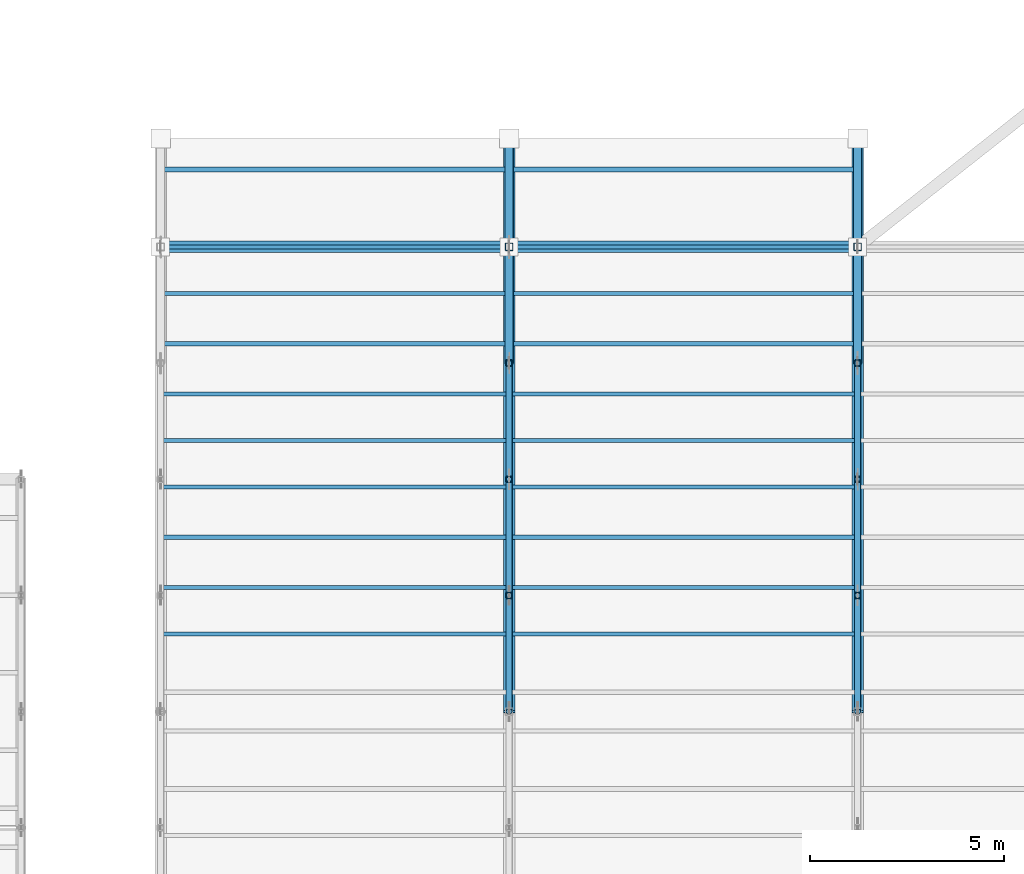
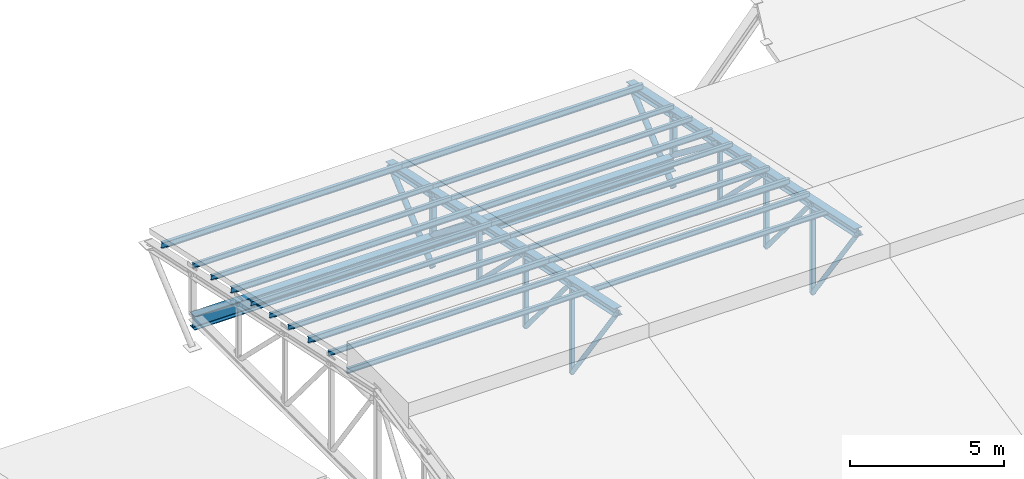
# One storey, part 18 of 43: 40 members, 2 beams.
"""IFC4 building model written with IfcOpenShell, lengths in metres."""

from ifc_helpers import new_model, si_unit, direction, frame, origin, origin_2d, place, context, subcontext, project, spatial, hollow_rectangle, hollow_circle, i_section, extrude, material, material_profile, profile_set, type_object, element, save


model = new_model("IFC4")

# Units and contexts
model_context = context("Model", 3, precision=1e-05, world=origin(), true_north=direction((0.0, 1.0)))
body_context = subcontext(model_context, "Body", "Model", "MODEL_VIEW")
ifc_project = project(units=[si_unit("LENGTHUNIT", "METRE"), si_unit("AREAUNIT", "SQUARE_METRE"), si_unit("VOLUMEUNIT", "CUBIC_METRE"), si_unit("PLANEANGLEUNIT", "RADIAN"), si_unit("MASSUNIT", "GRAM", prefix="KILO")], contexts=[model_context])

# Site, building, storey
site_placement = place(None, origin())
site = spatial("IfcSite", under=ifc_project, at=site_placement, CompositionType="ELEMENT")
building_placement = place(site_placement, origin())
building = spatial("IfcBuilding", under=site, at=building_placement, Name="Serraforn Aerial Cableway Station", CompositionType="ELEMENT")
storey_placement = place(building_placement, frame((0.0, 0.0, 18.300048828125)))
storey = spatial("IfcBuildingStorey", under=building, at=storey_placement, Name="RF", CompositionType="ELEMENT", Elevation=18.300048828125)

# Beams
ifc_material_1 = material(Name="Steel S355J2", Category="steel")
ifc_material_profile_1 = material_profile(ifc_material_1, i_section(OverallWidth=0.300048828125, OverallDepth=0.550048828125, WebThickness=0.014892578125, FlangeThickness=0.029052734375, FilletRadius=0.027099609375, at=origin_2d()), Name="HEB 550")
ifc_profile_set_1 = profile_set([ifc_material_profile_1], Name="Steel S355J2")
beam_type = type_object("IfcBeamType", Name="BM-ST-HEB550", PredefinedType="USERDEFINED", material=ifc_profile_set_1)
for number, where, z_axis, x_axis, name in (
    (1, (27.60009765625, 42.0, -1.625), (1.0, 0.0, 0.0), (0.0, 1.0, 0.0), "Boarding Hall Eave Girder N-1"),
    (2, (36.60009765625, 42.0, -1.625), (1.0, 0.0, 0.0), (0.0, 1.0, 0.0), "Boarding Hall Eave Girder N-2"),
):
    element("IfcBeam", number, at=place(storey_placement, frame(where, z_axis=z_axis, x_axis=x_axis)), inside=storey, type_object=beam_type, Name=name, ObjectType="GIRDER", PredefinedType="USERDEFINED", context=body_context, shape_type="SweptSolid", body=[
        extrude(i_section(OverallWidth=0.300048828125, OverallDepth=0.550048828125, WebThickness=0.014892578125, FlangeThickness=0.029052734375, FilletRadius=0.027099609375, at=origin_2d()), origin(), (0.0, 0.0, 1.0), 9.0),
    ])

# Members
ifc_material_profile_2 = material_profile(ifc_material_1, hollow_circle(Radius=0.084228515625, WallThickness=0.008056640625, at=origin_2d()), Name="CHS 168.3x8.0")
ifc_profile_set_2 = profile_set([ifc_material_profile_2], Name="Steel S355J2")
member_type_1 = type_object("IfcMemberType", Name="MEM-DG-CHS168", PredefinedType="BRACE", material=ifc_profile_set_2)
member_1_placement = place(storey_placement, frame((36.60009765625, 30.0, 2.8759765625), z_axis=(0.0, 0.578856146563, -0.815429679118), x_axis=(-1.0, 0.0, 0.0)))
element("IfcMember", 3, at=member_1_placement, inside=storey, type_object=member_type_1, Name="Roof Truss TR-02 Diagonal 5", PredefinedType="BRACE", context=body_context, shape_type="SweptSolid", body=[
    extrude(hollow_circle(Radius=0.084228515625, WallThickness=0.008056640625, at=origin_2d()), origin(), (0.0, 0.0, 1.0), 5.1826171875),
])
member_2_placement = place(storey_placement, frame((36.60009765625, 33.0, 2.23828125), z_axis=(0.0, 0.641405529785, -0.767202024477), x_axis=(-1.0, 0.0, 0.0)))
element("IfcMember", 4, at=member_2_placement, inside=storey, type_object=member_type_1, Name="Roof Truss TR-02 Diagonal 6", PredefinedType="BRACE", context=body_context, shape_type="SweptSolid", body=[
    extrude(hollow_circle(Radius=0.084228515625, WallThickness=0.008056640625, at=origin_2d()), origin(), (0.0, 0.0, 1.0), 4.67724609375),
])
member_3_placement = place(storey_placement, frame((36.60009765625, 36.0, 1.6005859375), z_axis=(0.0, 0.71294245933, -0.701222539344), x_axis=(-1.0, 0.0, 0.0)))
element("IfcMember", 5, at=member_3_placement, inside=storey, type_object=member_type_1, Name="Roof Truss TR-02 Diagonal 7", PredefinedType="BRACE", context=body_context, shape_type="SweptSolid", body=[
    extrude(hollow_circle(Radius=0.084228515625, WallThickness=0.008056640625, at=origin_2d()), origin(), (0.0, 0.0, 1.0), 4.2080078125),
])
member_4_placement = place(storey_placement, frame((45.60009765625, 30.0, 2.8759765625), z_axis=(0.0, 0.578856146563, -0.815429679118), x_axis=(-1.0, 0.0, 0.0)))
element("IfcMember", 6, at=member_4_placement, inside=storey, type_object=member_type_1, Name="Roof Truss TR-03 Diagonal 5", PredefinedType="BRACE", context=body_context, shape_type="SweptSolid", body=[
    extrude(hollow_circle(Radius=0.084228515625, WallThickness=0.008056640625, at=origin_2d()), origin(), (0.0, 0.0, 1.0), 5.1826171875),
])
member_5_placement = place(storey_placement, frame((45.60009765625, 33.0, 2.23828125), z_axis=(0.0, 0.641405529785, -0.767202024477), x_axis=(-1.0, 0.0, 0.0)))
element("IfcMember", 7, at=member_5_placement, inside=storey, type_object=member_type_1, Name="Roof Truss TR-03 Diagonal 6", PredefinedType="BRACE", context=body_context, shape_type="SweptSolid", body=[
    extrude(hollow_circle(Radius=0.084228515625, WallThickness=0.008056640625, at=origin_2d()), origin(), (0.0, 0.0, 1.0), 4.67724609375),
])
member_6_placement = place(storey_placement, frame((45.60009765625, 36.0, 1.6005859375), z_axis=(0.0, 0.71294245933, -0.701222539344), x_axis=(-1.0, 0.0, 0.0)))
element("IfcMember", 8, at=member_6_placement, inside=storey, type_object=member_type_1, Name="Roof Truss TR-03 Diagonal 7", PredefinedType="BRACE", context=body_context, shape_type="SweptSolid", body=[
    extrude(hollow_circle(Radius=0.084228515625, WallThickness=0.008056640625, at=origin_2d()), origin(), (0.0, 0.0, 1.0), 4.2080078125),
])
ifc_material_profile_3 = material_profile(ifc_material_1, hollow_circle(Radius=0.109619140625, WallThickness=0.010009765625, at=origin_2d()), Name="CHS 219.1x10.0")
ifc_profile_set_3 = profile_set([ifc_material_profile_3], Name="Steel S355J2")
member_type_2 = type_object("IfcMemberType", Name="MEM-DG-CHS219", PredefinedType="BRACE", material=ifc_profile_set_3)
member_7_placement = place(storey_placement, frame((36.60009765625, 42.0, -2.650146484375), z_axis=(0.0, 0.760584469832, 0.649238988548), x_axis=(-1.0, 0.0, 0.0)))
element("IfcMember", 9, at=member_7_placement, inside=storey, type_object=member_type_2, Name="Roof Truss TR-02 Eave Knee Strut EN", PredefinedType="BRACE", context=body_context, shape_type="SweptSolid", body=[
    extrude(hollow_circle(Radius=0.109619140625, WallThickness=0.010009765625, at=origin_2d()), origin(), (0.0, 0.0, 1.0), 3.681396484375),
])
member_8_placement = place(storey_placement, frame((36.60009765625, 39.0, 0.962890625), z_axis=(0.0, 0.791947867333, -0.610588712168), x_axis=(-1.0, 0.0, 0.0)))
element("IfcMember", 10, at=member_8_placement, inside=storey, type_object=member_type_2, Name="Roof Truss TR-02 Diagonal 8", PredefinedType="BRACE", context=body_context, shape_type="SweptSolid", body=[
    extrude(hollow_circle(Radius=0.109619140625, WallThickness=0.010009765625, at=origin_2d()), origin(), (0.0, 0.0, 1.0), 3.7880859375),
])
member_9_placement = place(storey_placement, frame((45.60009765625, 42.0, -2.650146484375), z_axis=(0.0, 0.760584469832, 0.649238988548), x_axis=(-1.0, 0.0, 0.0)))
element("IfcMember", 11, at=member_9_placement, inside=storey, type_object=member_type_2, Name="Roof Truss TR-03 Eave Knee Strut EN", PredefinedType="BRACE", context=body_context, shape_type="SweptSolid", body=[
    extrude(hollow_circle(Radius=0.109619140625, WallThickness=0.010009765625, at=origin_2d()), origin(), (0.0, 0.0, 1.0), 3.681396484375),
])
member_10_placement = place(storey_placement, frame((45.60009765625, 39.0, 0.962890625), z_axis=(0.0, 0.791947867333, -0.610588712168), x_axis=(-1.0, 0.0, 0.0)))
element("IfcMember", 12, at=member_10_placement, inside=storey, type_object=member_type_2, Name="Roof Truss TR-03 Diagonal 8", PredefinedType="BRACE", context=body_context, shape_type="SweptSolid", body=[
    extrude(hollow_circle(Radius=0.109619140625, WallThickness=0.010009765625, at=origin_2d()), origin(), (0.0, 0.0, 1.0), 3.7880859375),
])
ifc_material_2 = material(Name="Steel S355JR", Category="steel")
ifc_material_profile_4 = material_profile(ifc_material_2, i_section(OverallWidth=0.10009765625, OverallDepth=0.199951171875, WebThickness=0.005615234375, FlangeThickness=0.008544921875, FilletRadius=0.011962890625, at=origin_2d()), Name="IPE 200")
ifc_profile_set_4 = profile_set([ifc_material_profile_4], Name="Steel S355JR")
member_type_3 = type_object("IfcMemberType", Name="MEM-PR-IPE200", PredefinedType="PURLIN", material=ifc_profile_set_4)
for number, where, z_axis, x_axis, name in (
    (13, (27.60009765625, 32.0, 2.48583984375), (1.0, 0.0, 0.0), (0.0, 1.0, 0.0), "Boarding Hall Purlin 1-9"),
    (14, (27.60009765625, 37.0, 1.632080078125), (1.0, 0.0, 0.0), (0.0, 1.0, 0.0), "Boarding Hall Purlin 1-11"),
    (15, (27.60009765625, 42.0, 0.5693359375), (1.0, 0.0, 0.0), (0.0, 1.0, 0.0), "Boarding Hall Purlin 1-13"),
    (16, (36.60009765625, 32.0, 2.48583984375), (1.0, 0.0, 0.0), (0.0, 1.0, 0.0), "Boarding Hall Purlin 2-9"),
    (17, (36.60009765625, 37.0, 1.632080078125), (1.0, 0.0, 0.0), (0.0, 1.0, 0.0), "Boarding Hall Purlin 2-11"),
    (18, (36.60009765625, 42.0, 0.5693359375), (1.0, 0.0, 0.0), (0.0, 1.0, 0.0), "Boarding Hall Purlin 2-13"),
    (19, (27.60009765625, 33.199951171875, 2.439697265625), (1.0, 0.0, 0.0), (0.0, 1.0, 0.0), "Boarding Hall Secondary Purlin 1-5"),
    (20, (27.60009765625, 35.800048828125, 1.88720703125), (1.0, 0.0, 0.0), (0.0, 1.0, 0.0), "Boarding Hall Secondary Purlin 1-6"),
    (21, (27.60009765625, 38.199951171875, 1.376953125), (1.0, 0.0, 0.0), (0.0, 1.0, 0.0), "Boarding Hall Secondary Purlin 1-7"),
    (22, (27.60009765625, 40.800048828125, 0.824462890625), (1.0, 0.0, 0.0), (0.0, 1.0, 0.0), "Boarding Hall Secondary Purlin 1-8"),
    (23, (36.60009765625, 33.199951171875, 2.439697265625), (1.0, 0.0, 0.0), (0.0, 1.0, 0.0), "Boarding Hall Secondary Purlin 2-5"),
    (24, (36.60009765625, 35.800048828125, 1.88720703125), (1.0, 0.0, 0.0), (0.0, 1.0, 0.0), "Boarding Hall Secondary Purlin 2-6"),
    (25, (36.60009765625, 38.199951171875, 1.376953125), (1.0, 0.0, 0.0), (0.0, 1.0, 0.0), "Boarding Hall Secondary Purlin 2-7"),
    (26, (36.60009765625, 40.800048828125, 0.824462890625), (1.0, 0.0, 0.0), (0.0, 1.0, 0.0), "Boarding Hall Secondary Purlin 2-8"),
):
    element("IfcMember", number, at=place(storey_placement, frame(where, z_axis=z_axis, x_axis=x_axis)), inside=storey, type_object=member_type_3, Name=name, PredefinedType="PURLIN", context=body_context, shape_type="SweptSolid", body=[
        extrude(i_section(OverallWidth=0.10009765625, OverallDepth=0.199951171875, WebThickness=0.005615234375, FlangeThickness=0.008544921875, FilletRadius=0.011962890625, at=origin_2d()), origin(), (0.0, 0.0, 1.0), 9.0),
    ])
ifc_material_profile_5 = material_profile(ifc_material_2, i_section(OverallWidth=0.1201171875, OverallDepth=0.239990234375, WebThickness=0.006103515625, FlangeThickness=0.009765625, FilletRadius=0.014892578125, at=origin_2d()), Name="IPE 240")
ifc_profile_set_5 = profile_set([ifc_material_profile_5], Name="Steel S355JR")
member_type_4 = type_object("IfcMemberType", Name="MEM-PR-IPE240", PredefinedType="PURLIN", material=ifc_profile_set_5)
for number, where, z_axis, x_axis, name in (
    (27, (27.60009765625, 34.5, 2.183349609375), (1.0, 0.0, 0.0), (0.0, 1.0, 0.0), "Boarding Hall Purlin 1-10"),
    (28, (27.60009765625, 39.5, 1.12060546875), (1.0, 0.0, 0.0), (0.0, 1.0, 0.0), "Boarding Hall Purlin 1-12"),
    (29, (27.60009765625, 44.0, 0.1640625), (1.0, 0.0, 0.0), (0.0, 1.0, 0.0), "Boarding Hall Purlin 1-14"),
    (30, (36.60009765625, 34.5, 2.183349609375), (1.0, 0.0, 0.0), (0.0, 1.0, 0.0), "Boarding Hall Purlin 2-10"),
    (31, (36.60009765625, 39.5, 1.12060546875), (1.0, 0.0, 0.0), (0.0, 1.0, 0.0), "Boarding Hall Purlin 2-12"),
    (32, (36.60009765625, 44.0, 0.1640625), (1.0, 0.0, 0.0), (0.0, 1.0, 0.0), "Boarding Hall Purlin 2-14"),
):
    element("IfcMember", number, at=place(storey_placement, frame(where, z_axis=z_axis, x_axis=x_axis)), inside=storey, type_object=member_type_4, Name=name, PredefinedType="PURLIN", context=body_context, shape_type="SweptSolid", body=[
        extrude(i_section(OverallWidth=0.1201171875, OverallDepth=0.239990234375, WebThickness=0.006103515625, FlangeThickness=0.009765625, FilletRadius=0.014892578125, at=origin_2d()), origin(), (0.0, 0.0, 1.0), 9.0),
    ])
ifc_material_profile_6 = material_profile(ifc_material_1, i_section(OverallWidth=0.300048828125, OverallDepth=0.300048828125, WebThickness=0.010986328125, FlangeThickness=0.01904296875, FilletRadius=0.027099609375, at=origin_2d()), Name="HEB 300")
ifc_profile_set_6 = profile_set([ifc_material_profile_6], Name="Steel S355J2")
member_type_5 = type_object("IfcMemberType", Name="MEM-TC-HEB300", PredefinedType="CHORD", material=ifc_profile_set_6)
for number, where, z_axis, x_axis, name in (
    (33, (36.60009765625, 30.0, 2.8759765625), (0.0, 0.978145603362, -0.207921087493), (-1.0, 0.0, 0.0), "Roof Truss TR-02 Top Chord 2"),
    (34, (45.60009765625, 30.0, 2.8759765625), (0.0, 0.978145603362, -0.207921087493), (-1.0, 0.0, 0.0), "Roof Truss TR-03 Top Chord 2"),
):
    element("IfcMember", number, at=place(storey_placement, frame(where, z_axis=z_axis, x_axis=x_axis)), inside=storey, type_object=member_type_5, Name=name, PredefinedType="CHORD", context=body_context, shape_type="SweptSolid", body=[
        extrude(i_section(OverallWidth=0.300048828125, OverallDepth=0.300048828125, WebThickness=0.010986328125, FlangeThickness=0.01904296875, FilletRadius=0.027099609375, at=origin_2d()), origin(), (0.0, 0.0, 1.0), 15.130615234375),
    ])
ifc_material_profile_7 = material_profile(ifc_material_1, hollow_rectangle(XDim=0.159912109375, YDim=0.159912109375, WallThickness=0.008056640625, InnerFilletRadius=0.008056640625, OuterFilletRadius=0.01611328125, at=origin_2d()), Name="SHS 160x160x8.0")
ifc_profile_set_7 = profile_set([ifc_material_profile_7], Name="Steel S355J2")
member_type_6 = type_object("IfcMemberType", Name="MEM-VP-SHS160", PredefinedType="STRUT", material=ifc_profile_set_7)
member_11_placement = place(storey_placement, frame((36.60009765625, 33.0, -1.360107421875), z_axis=(0.0, 0.0, 1.0), x_axis=(1.0, 0.0, 0.0)))
element("IfcMember", 35, at=member_11_placement, inside=storey, type_object=member_type_6, Name="Roof Truss TR-02 Vertical Post 6", PredefinedType="STRUT", context=body_context, shape_type="SweptSolid", body=[
    extrude(hollow_rectangle(XDim=0.159912109375, YDim=0.159912109375, WallThickness=0.008056640625, InnerFilletRadius=0.008056640625, OuterFilletRadius=0.01611328125, at=origin_2d()), origin(), (0.0, 0.0, 1.0), 3.6083984375),
])
member_12_placement = place(storey_placement, frame((36.60009765625, 36.0, -1.360107421875), z_axis=(0.0, 0.0, 1.0), x_axis=(1.0, 0.0, 0.0)))
element("IfcMember", 36, at=member_12_placement, inside=storey, type_object=member_type_6, Name="Roof Truss TR-02 Vertical Post 7", PredefinedType="STRUT", context=body_context, shape_type="SweptSolid", body=[
    extrude(hollow_rectangle(XDim=0.159912109375, YDim=0.159912109375, WallThickness=0.008056640625, InnerFilletRadius=0.008056640625, OuterFilletRadius=0.01611328125, at=origin_2d()), origin(), (0.0, 0.0, 1.0), 2.970703125),
])
member_13_placement = place(storey_placement, frame((36.60009765625, 39.0, -1.360107421875), z_axis=(0.0, 0.0, 1.0), x_axis=(1.0, 0.0, 0.0)))
element("IfcMember", 37, at=member_13_placement, inside=storey, type_object=member_type_6, Name="Roof Truss TR-02 Vertical Post 8", PredefinedType="STRUT", context=body_context, shape_type="SweptSolid", body=[
    extrude(hollow_rectangle(XDim=0.159912109375, YDim=0.159912109375, WallThickness=0.008056640625, InnerFilletRadius=0.008056640625, OuterFilletRadius=0.01611328125, at=origin_2d()), origin(), (0.0, 0.0, 1.0), 2.3330078125),
])
member_14_placement = place(storey_placement, frame((45.60009765625, 33.0, -1.360107421875), z_axis=(0.0, 0.0, 1.0), x_axis=(1.0, 0.0, 0.0)))
element("IfcMember", 38, at=member_14_placement, inside=storey, type_object=member_type_6, Name="Roof Truss TR-03 Vertical Post 6", PredefinedType="STRUT", context=body_context, shape_type="SweptSolid", body=[
    extrude(hollow_rectangle(XDim=0.159912109375, YDim=0.159912109375, WallThickness=0.008056640625, InnerFilletRadius=0.008056640625, OuterFilletRadius=0.01611328125, at=origin_2d()), origin(), (0.0, 0.0, 1.0), 3.6083984375),
])
member_15_placement = place(storey_placement, frame((45.60009765625, 36.0, -1.360107421875), z_axis=(0.0, 0.0, 1.0), x_axis=(1.0, 0.0, 0.0)))
element("IfcMember", 39, at=member_15_placement, inside=storey, type_object=member_type_6, Name="Roof Truss TR-03 Vertical Post 7", PredefinedType="STRUT", context=body_context, shape_type="SweptSolid", body=[
    extrude(hollow_rectangle(XDim=0.159912109375, YDim=0.159912109375, WallThickness=0.008056640625, InnerFilletRadius=0.008056640625, OuterFilletRadius=0.01611328125, at=origin_2d()), origin(), (0.0, 0.0, 1.0), 2.970703125),
])
member_16_placement = place(storey_placement, frame((45.60009765625, 39.0, -1.360107421875), z_axis=(0.0, 0.0, 1.0), x_axis=(1.0, 0.0, 0.0)))
element("IfcMember", 40, at=member_16_placement, inside=storey, type_object=member_type_6, Name="Roof Truss TR-03 Vertical Post 8", PredefinedType="STRUT", context=body_context, shape_type="SweptSolid", body=[
    extrude(hollow_rectangle(XDim=0.159912109375, YDim=0.159912109375, WallThickness=0.008056640625, InnerFilletRadius=0.008056640625, OuterFilletRadius=0.01611328125, at=origin_2d()), origin(), (0.0, 0.0, 1.0), 2.3330078125),
])
ifc_material_profile_8 = material_profile(ifc_material_1, hollow_rectangle(XDim=0.199951171875, YDim=0.199951171875, WallThickness=0.010009765625, InnerFilletRadius=0.010009765625, OuterFilletRadius=0.02001953125, at=origin_2d()), Name="SHS 200x200x10.0")
ifc_profile_set_8 = profile_set([ifc_material_profile_8], Name="Steel S355J2")
member_type_7 = type_object("IfcMemberType", Name="MEM-VP-SHS200", PredefinedType="STRUT", material=ifc_profile_set_8)
for number, where, z_axis, x_axis, name in (
    (41, (36.60009765625, 42.0, -1.360107421875), (0.0, 0.0, 1.0), (1.0, 0.0, 0.0), "Roof Truss TR-02 Vertical Post 9"),
    (42, (45.60009765625, 42.0, -1.360107421875), (0.0, 0.0, 1.0), (1.0, 0.0, 0.0), "Roof Truss TR-03 Vertical Post 9"),
):
    element("IfcMember", number, at=place(storey_placement, frame(where, z_axis=z_axis, x_axis=x_axis)), inside=storey, type_object=member_type_7, Name=name, PredefinedType="STRUT", context=body_context, shape_type="SweptSolid", body=[
        extrude(hollow_rectangle(XDim=0.199951171875, YDim=0.199951171875, WallThickness=0.010009765625, InnerFilletRadius=0.010009765625, OuterFilletRadius=0.02001953125, at=origin_2d()), origin(), (0.0, 0.0, 1.0), 1.6953125),
    ])

save(model, "model.ifc")
